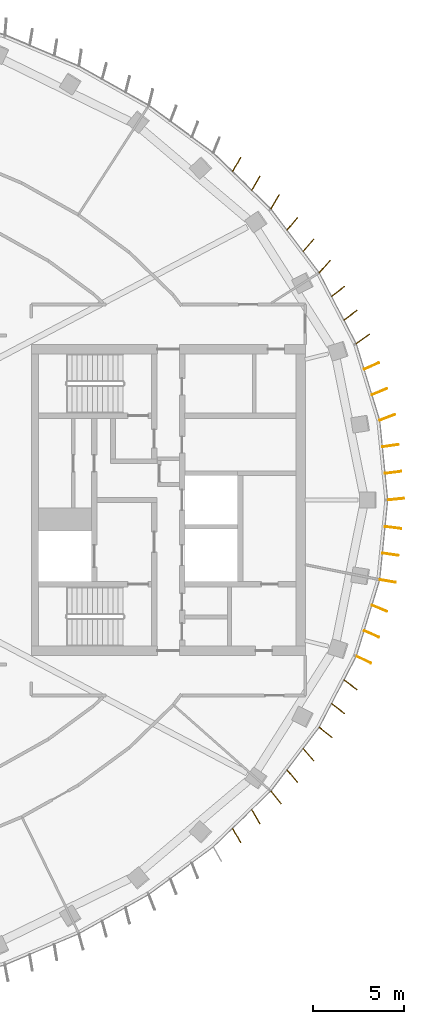
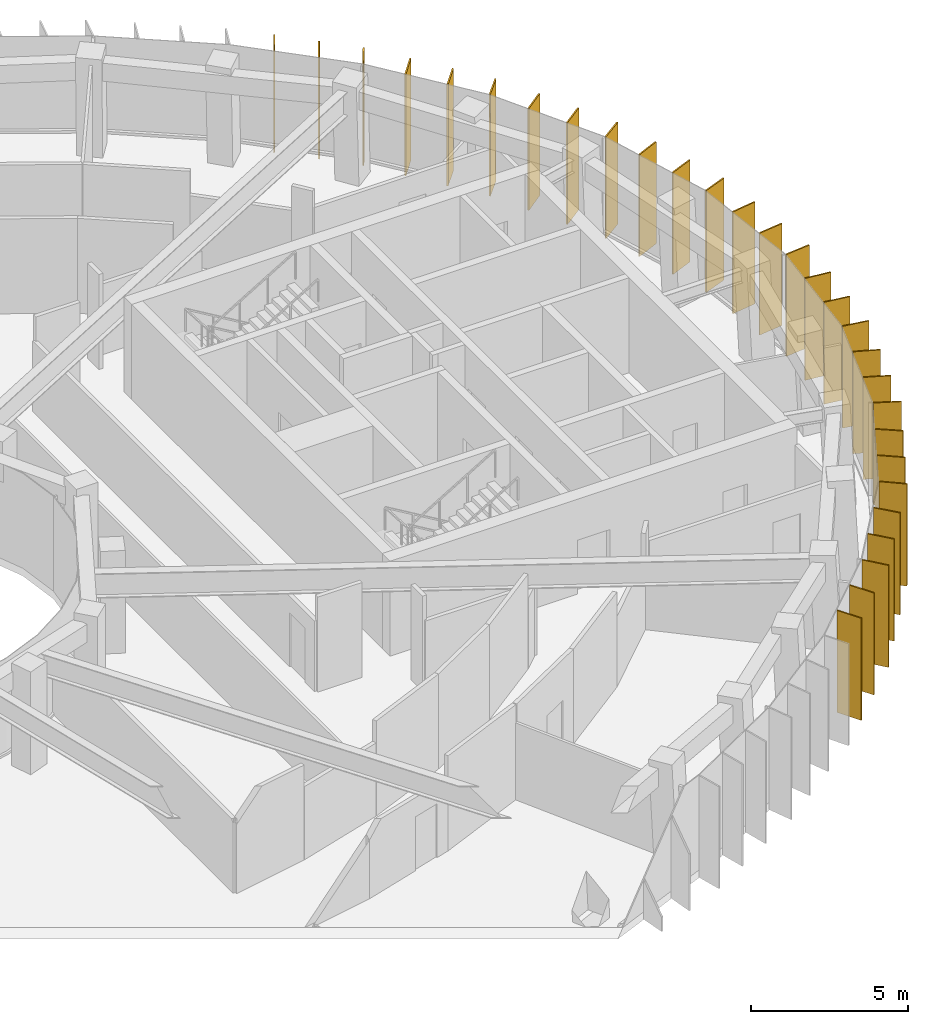
# One storey, part 13 of 13: 29 coverings.
"""IFC4 building model written with IfcOpenShell, lengths in metres."""

import ifcopenshell
import ifcopenshell.guid

model = None  # the IFC model being written
_history = None  # IfcOwnerHistory: only IFC2X3 demands one
_inside = {}  # id of a spatial element -> (the spatial element, [elements in it])
_under = {}  # id of a project, library or spatial element -> (it, [spatial elements below it])
_declared = {}  # id of a project -> (the project, [libraries it declares])
_typed = {}  # id of a type object -> (the type object, [elements of that type])
_made_of = {}  # id of a material, layer set ... -> (it, [elements and type objects made of it])


def new_model(schema):
    """Start an empty IFC model of exactly this schema.

    Asked for "IFC4X3", IfcOpenShell would pick the latest addendum, in which some entities
    have other attributes; the version numbers below select the first issue.
    IFC2X3 requires an IfcOwnerHistory on every rooted entity: one is made here for all.
    """
    global model, _history
    if schema == "IFC4X3":
        model = ifcopenshell.file(schema_version=(4, 3, 0, 0))
    else:
        model = ifcopenshell.file(schema=schema)
    _inside.clear()
    _under.clear()
    _declared.clear()
    _typed.clear()
    _made_of.clear()
    _history = None
    if model.schema == "IFC2X3":
        org = make("IfcOrganization", Name="unknown")
        user = make(
            "IfcPersonAndOrganization",
            ThePerson=make("IfcPerson", FamilyName="unknown"),
            TheOrganization=org,
        )
        app = make(
            "IfcApplication",
            ApplicationDeveloper=org,
            Version="unknown",
            ApplicationFullName="unknown",
            ApplicationIdentifier="unknown",
        )
        _history = make(
            "IfcOwnerHistory",
            OwningUser=user,
            OwningApplication=app,
            ChangeAction="ADDED",
            CreationDate=0,
        )
    return model


def make(cls, **values):
    """One entity of the class cls with the attributes given. An attribute that is None is left unset."""
    return model.create_entity(
        cls, **{name: value for name, value in values.items() if value is not None}
    )


def rooted(cls, **values):
    """An entity with a GlobalId (a new one), such as an element, a storey or a relation."""
    return make(cls, GlobalId=ifcopenshell.guid.new(), OwnerHistory=_history, **values)


def si_unit(unit_type, name, prefix=None):
    """IfcSIUnit, for example si_unit("LENGTHUNIT", "METRE", prefix="MILLI")."""
    return make("IfcSIUnit", UnitType=unit_type, Prefix=prefix, Name=name)


def assignment(units):
    """IfcUnitAssignment: the units of a project."""
    return None if units is None else make("IfcUnitAssignment", Units=units)


def point(xyz):
    """IfcCartesianPoint."""
    return None if xyz is None else make("IfcCartesianPoint", Coordinates=xyz)


def direction(xyz):
    """IfcDirection."""
    return None if xyz is None else make("IfcDirection", DirectionRatios=xyz)


def frame(location, z_axis=None, x_axis=None):
    """IfcAxis2Placement3D, a coordinate frame: its origin and axes. An axis left out is left unset."""
    return make(
        "IfcAxis2Placement3D",
        Location=point(location),
        Axis=direction(z_axis),
        RefDirection=direction(x_axis),
    )


def frame_2d(location, x_axis=None):
    """IfcAxis2Placement2D, a coordinate frame in the plane: its origin and x axis."""
    return make(
        "IfcAxis2Placement2D", Location=point(location), RefDirection=direction(x_axis)
    )


def origin():
    """The frame at (0, 0, 0) with its axes left unset."""
    return frame((0.0, 0.0, 0.0))


def origin_2d():
    """The frame at (0, 0) in the plane with its x axis left unset."""
    return frame_2d((0.0, 0.0))


def place(relative_to, where):
    """IfcLocalPlacement: puts the frame where relative to a parent placement (None: the world)."""
    return make(
        "IfcLocalPlacement", PlacementRelTo=relative_to, RelativePlacement=where
    )


def context(
    kind, dimensions, precision=None, world=None, true_north=None, identifier=None
):
    """IfcGeometricRepresentationContext, for example the 3D "Model" context."""
    return make(
        "IfcGeometricRepresentationContext",
        ContextIdentifier=identifier,
        ContextType=kind,
        CoordinateSpaceDimension=dimensions,
        Precision=precision,
        WorldCoordinateSystem=world,
        TrueNorth=true_north,
    )


def subcontext(parent, identifier, kind, view, scale=None):
    """IfcGeometricRepresentationSubContext, for example "Body" below "Model"."""
    return make(
        "IfcGeometricRepresentationSubContext",
        ContextIdentifier=identifier,
        ContextType=kind,
        ParentContext=parent,
        TargetScale=scale,
        TargetView=view,
    )


def project(units=None, contexts=None):
    """IfcProject with its units and contexts."""
    return rooted(
        "IfcProject",
        Name="project",
        RepresentationContexts=contexts,
        UnitsInContext=assignment(units),
    )


def spatial(cls, under=None, at=None, **own):
    """A site, building, storey or space (cls), placed at a placement, below another one or the project."""
    s = rooted(cls, ObjectPlacement=at, **own)
    if under is not None:
        _under.setdefault(under.id(), (under, []))[1].append(s)
    return s


def profile(cls, at=None, kind="AREA", **sizes):
    """A parametric profile (cls). Its sizes go by their IFC names, for example OverallWidth=200.0."""
    return make(cls, ProfileType=kind, Position=at, **sizes)


def rectangle(**sizes):
    """IfcRectangleProfileDef."""
    return profile("IfcRectangleProfileDef", **sizes)


def extrude(swept, where, along, depth):
    """IfcExtrudedAreaSolid: the profile swept, set in the frame where, extruded along a direction by depth."""
    return make(
        "IfcExtrudedAreaSolid",
        SweptArea=swept,
        Position=where,
        ExtrudedDirection=direction(along),
        Depth=depth,
    )


def shape(context_of_items, identifier, shape_type, items):
    """IfcShapeRepresentation: the items that make up one representation, for example the "Body"."""
    return make(
        "IfcShapeRepresentation",
        ContextOfItems=context_of_items,
        RepresentationIdentifier=identifier,
        RepresentationType=shape_type,
        Items=items,
    )


def material(Name=None, Category=None):
    """IfcMaterial."""
    return make("IfcMaterial", Name=Name, Category=Category)


def material_profile(
    of_material, cross_section, Name=None, Category=None, Priority=None
):
    """IfcMaterialProfile: a cross section and its material."""
    return make(
        "IfcMaterialProfile",
        Name=Name,
        Material=of_material,
        Profile=cross_section,
        Priority=Priority,
        Category=Category,
    )


def profile_set(profiles, Name=None, composite=None):
    """IfcMaterialProfileSet."""
    return make(
        "IfcMaterialProfileSet",
        Name=Name,
        MaterialProfiles=profiles,
        CompositeProfile=composite,
    )


def made_of(thing, what):
    """Note that an element or type object is made of a material, layer set ...; save() writes the relation."""
    if what is not None:
        _made_of.setdefault(what.id(), (what, []))[1].append(thing)
    return thing


def type_object(cls, material=None, **own):
    """A type object (cls), such as IfcWallType, which elements share."""
    return made_of(rooted(cls, **own), material)


def element(
    cls,
    number,
    at=None,
    inside=None,
    cuts=None,
    type_object=None,
    material=None,
    context=None,
    identifier="Body",
    shape_type=None,
    held_by="IfcProductDefinitionShape",
    body=None,
    shapes=None,
    **own,
):
    """One element of the class cls, such as IfcWall. Its Tag is "e" and its number.

    at: its placement. inside: the storey or other place that contains it. cuts: it is an
    opening in that element (IfcRelVoidsElement). A single representation is given by context,
    identifier, shape_type and body (its items); several are given by shapes. held_by: the class
    of the entity that holds the representations. save() writes the other relations.
    """
    e = rooted(cls, Tag="e%d" % number, ObjectPlacement=at, **own)
    if body is not None:
        shapes = [shape(context, identifier, shape_type, body)]
    if shapes is not None:
        e.Representation = make(held_by, Representations=shapes)
    if inside is not None:
        _inside.setdefault(inside.id(), (inside, []))[1].append(e)
    if cuts is not None:
        rooted(
            "IfcRelVoidsElement", RelatingBuildingElement=cuts, RelatedOpeningElement=e
        )
    if type_object is not None:
        _typed.setdefault(type_object.id(), (type_object, []))[1].append(e)
    return made_of(e, material)


def aggregate(whole, parts):
    """IfcRelAggregates: a whole, such as a stair, and the parts it consists of."""
    return rooted("IfcRelAggregates", RelatingObject=whole, RelatedObjects=parts)


def save(model, path):
    """Write the relations noted so far, then the file.

    IfcRelAggregates (storeys below a building ...), IfcRelContainedInSpatialStructure (elements
    in a storey), IfcRelDefinesByType, IfcRelAssociatesMaterial and IfcRelDeclares: one each for
    every whole, place, type object, material and project.
    """
    for whole, parts in _under.values():
        aggregate(whole, parts)
    for where, things in _inside.values():
        rooted(
            "IfcRelContainedInSpatialStructure",
            RelatedElements=things,
            RelatingStructure=where,
        )
    for kind, things in _typed.values():
        rooted("IfcRelDefinesByType", RelatedObjects=things, RelatingType=kind)
    for what, things in _made_of.values():
        rooted("IfcRelAssociatesMaterial", RelatedObjects=things, RelatingMaterial=what)
    for by, libraries in _declared.values():
        rooted("IfcRelDeclares", RelatingContext=by, RelatedDefinitions=libraries)
    model.write(path)


model = new_model("IFC4")

# Units and contexts
model_context = context("Model", 3, precision=1e-05, world=origin(), true_north=direction((0.0, 1.0)))
body_context = subcontext(model_context, "Body", "Model", "MODEL_VIEW")
ifc_project = project(units=[si_unit("LENGTHUNIT", "METRE"), si_unit("AREAUNIT", "SQUARE_METRE"), si_unit("VOLUMEUNIT", "CUBIC_METRE"), si_unit("PLANEANGLEUNIT", "RADIAN"), si_unit("MASSUNIT", "GRAM", prefix="KILO")], contexts=[model_context])

# Site, building, storey
site_placement = place(None, origin())
site = spatial("IfcSite", under=ifc_project, at=site_placement, CompositionType="ELEMENT")
building_placement = place(site_placement, origin())
building = spatial("IfcBuilding", under=site, at=building_placement, Name="Noorbagh Ring Tower", CompositionType="ELEMENT")
storey_placement = place(building_placement, frame((0.0, 0.0, 327.0)))
storey = spatial("IfcBuildingStorey", under=building, at=storey_placement, Name="L71", CompositionType="ELEMENT", Elevation=327.0)

# Coverings
ifc_material = material(Name="Aluminium 6063-T6 black anodised", Category="aluminium")
ifc_material_profile = material_profile(ifc_material, rectangle(XDim=0.89990234375, YDim=0.050048828125, at=origin_2d()), Name="900x50")
ifc_profile_set = profile_set([ifc_material_profile], Name="Aluminium 6063-T6 black anodised")
covering_type = type_object("IfcCoveringType", Name="ENV-FIN", PredefinedType="CLADDING", material=ifc_profile_set)
for number, where, z_axis, x_axis, name in (
    (1, (36.4482421875, 0.045166015625, -0.284912109375), (0.0, 0.0, 1.0), (0.994969504864, 0.100178263068, 0.0), "Fin F01 1 L71-L71"),
    (2, (36.30126953125, 1.5087890625, -0.284912109375), (0.0, 0.0, 1.0), (0.992302876732, 0.12383457041, 0.0), "Fin F01 2 L71-L71"),
    (3, (36.154296875, 2.97216796875, -0.284912109375), (0.0, 0.0, 1.0), (0.989102941421, 0.147225579543, 0.0), "Fin F01 3 L71-L71"),
    (4, (35.9833984375, 4.520751953125, -0.284912109375), (0.0, 0.0, 1.0), (0.933362145395, 0.358936074453, 0.0), "Fin F02 1 L71-L71"),
    (5, (35.553466796875, 5.92724609375, -0.284912109375), (0.0, 0.0, 1.0), (0.925000661941, 0.379965492392, 0.0), "Fin F02 2 L71-L71"),
    (6, (35.123291015625, 7.3330078125, -0.284912109375), (0.0, 0.0, 1.0), (0.916474909008, 0.40009216583, 0.0), "Fin F02 3 L71-L71"),
    (7, (34.651611328125, 8.810791015625, -0.284912109375), (0.0, 0.0, 1.0), (0.815855460993, 0.57825588347, 0.0), "Fin F03 1 L71-L71"),
    (8, (33.9716796875, 10.113525390625, -0.284912109375), (0.0, 0.0, 1.0), (0.804260303023, 0.59427717858, 0.0), "Fin F03 2 L71-L71"),
    (9, (33.291748046875, 11.415771484375, -0.284912109375), (0.0, 0.0, 1.0), (0.793137535147, 0.609042568579, 0.0), "Fin F03 3 L71-L71"),
    (10, (32.559814453125, 12.77294921875, -0.284912109375), (0.0, 0.0, 1.0), (0.667560908665, 0.744555191522, 0.0), "Fin F04 1 L71-L71"),
    (11, (31.67236328125, 13.9423828125, -0.284912109375), (0.0, 0.0, 1.0), (0.655973325588, 0.754784072511, 0.0), "Fin F04 2 L71-L71"),
    (12, (30.785400390625, 15.111083984375, -0.284912109375), (0.0, 0.0, 1.0), (0.645538637897, 0.76372761308, 0.0), "Fin F04 3 L71-L71"),
    (13, (29.8427734375, 16.31884765625, -0.284912109375), (0.0, 0.0, 1.0), (0.512880878504, 0.858459786166, 0.0), "Fin F05 1 L71-L71"),
    (14, (28.790771484375, 17.33984375, -0.284912109375), (0.0, 0.0, 1.0), (0.504279796606, 0.86354032143, 0.0), "Fin F05 2 L71-L71"),
    (15, (27.73974609375, 18.360107421875, -0.284912109375), (0.0, 0.0, 1.0), (0.497372201183, 0.867537257696, 0.0), "Fin F05 3 L71-L71"),
    (16, (27.73974609375, -18.360107421875, -0.284912109375), (0.0, 0.0, 1.0), (0.497372201183, -0.867537257696, 0.0), "Fin F42 2 L71-L71"),
    (17, (28.790771484375, -17.33984375, -0.284912109375), (0.0, 0.0, 1.0), (0.504279796606, -0.86354032143, 0.0), "Fin F42 3 L71-L71"),
    (18, (29.89892578125, -16.279052734375, -0.284912109375), (0.0, 0.0, 1.0), (0.636392681103, -0.771365254233, 0.0), "Fin F43 1 L71-L71"),
    (19, (30.785400390625, -15.111083984375, -0.284912109375), (0.0, 0.0, 1.0), (0.645538637897, -0.76372761308, 0.0), "Fin F43 2 L71-L71"),
    (20, (31.67236328125, -13.9423828125, -0.284912109375), (0.0, 0.0, 1.0), (0.655973325588, -0.754784072511, 0.0), "Fin F43 3 L71-L71"),
    (21, (32.612060546875, -12.71728515625, -0.284912109375), (0.0, 0.0, 1.0), (0.782643528987, -0.622470165176, 0.0), "Fin F44 1 L71-L71"),
    (22, (33.291748046875, -11.415771484375, -0.284912109375), (0.0, 0.0, 1.0), (0.793137535147, -0.609042568579, 0.0), "Fin F44 2 L71-L71"),
    (23, (33.9716796875, -10.113525390625, -0.284912109375), (0.0, 0.0, 1.0), (0.804260303023, -0.59427717858, 0.0), "Fin F44 3 L71-L71"),
    (24, (34.693359375, -8.738525390625, -0.284912109375), (0.0, 0.0, 1.0), (0.907911558545, -0.419161784827, 0.0), "Fin F45 1 L71-L71"),
    (25, (35.123291015625, -7.3330078125, -0.284912109375), (0.0, 0.0, 1.0), (0.916474909008, -0.40009216583, 0.0), "Fin F45 2 L71-L71"),
    (26, (35.553466796875, -5.92724609375, -0.284912109375), (0.0, 0.0, 1.0), (0.925000661941, -0.379965492392, 0.0), "Fin F45 3 L71-L71"),
    (27, (36.0068359375, -4.435546875, -0.284912109375), (0.0, 0.0, 1.0), (0.985418628789, -0.170147365642, 0.0), "Fin F46 1 L71-L71"),
    (28, (36.154296875, -2.97216796875, -0.284912109375), (0.0, 0.0, 1.0), (0.989102941421, -0.147225579543, 0.0), "Fin F46 2 L71-L71"),
    (29, (36.30126953125, -1.5087890625, -0.284912109375), (0.0, 0.0, 1.0), (0.992302876732, -0.12383457041, 0.0), "Fin F46 3 L71-L71"),
):
    element("IfcCovering", number, at=place(storey_placement, frame(where, z_axis=z_axis, x_axis=x_axis)), inside=storey, type_object=covering_type, Name=name, ObjectType="FIN", PredefinedType="CLADDING", context=body_context, shape_type="SweptSolid", body=[
        extrude(rectangle(XDim=0.89990234375, YDim=0.050048828125, at=origin_2d()), origin(), (0.0, 0.0, 1.0), 3.969970703125),
    ])

save(model, "model.ifc")
